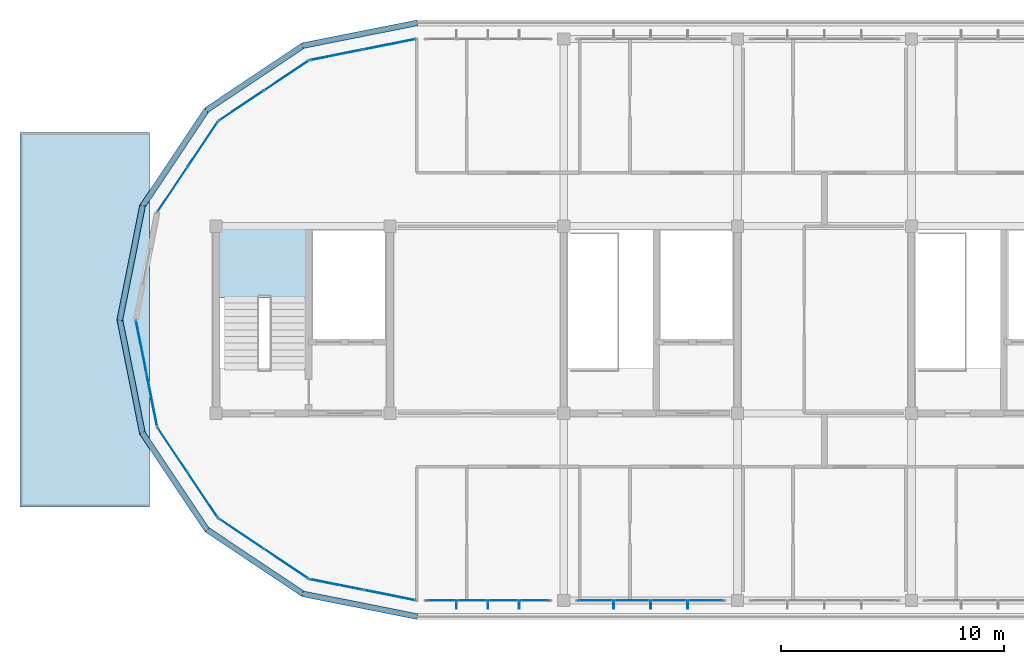
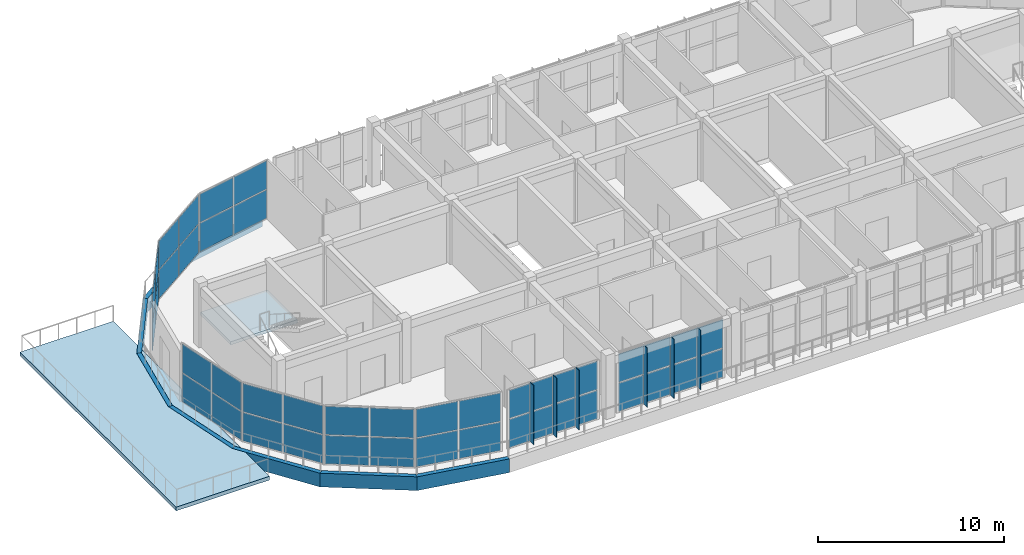
# One storey, part 22 of 33: 58 plates, 2 slabs, 10 elements without a shape of their own.
"""IFC4 building model written with IfcOpenShell, lengths in metres."""

from ifc_helpers import new_model, si_unit, direction, frame, origin, origin_2d, place, context, subcontext, project, spatial, polyline, rectangle, outline, extrude, material, layer, layer_set, type_object, element, aggregate, save


model = new_model("IFC4")

# Units and contexts
model_context = context("Model", 3, precision=1e-05, world=origin(), true_north=direction((0.0, 1.0)))
body_context = subcontext(model_context, "Body", "Model", "MODEL_VIEW")
ifc_project = project(units=[si_unit("LENGTHUNIT", "METRE"), si_unit("AREAUNIT", "SQUARE_METRE"), si_unit("VOLUMEUNIT", "CUBIC_METRE"), si_unit("PLANEANGLEUNIT", "RADIAN"), si_unit("MASSUNIT", "GRAM", prefix="KILO")], contexts=[model_context])

# Site, building, storey
site_placement = place(None, origin())
site = spatial("IfcSite", under=ifc_project, at=site_placement, CompositionType="ELEMENT")
building_placement = place(site_placement, origin())
building = spatial("IfcBuilding", under=site, at=building_placement, Name="Zizhar Promenade General Hospital", CompositionType="ELEMENT")
storey_placement = place(building_placement, frame((0.0, 0.0, 39.0)))
storey = spatial("IfcBuildingStorey", under=building, at=storey_placement, Name="L09", CompositionType="ELEMENT", Elevation=39.0)

# Curtain wall, plates
ifc_material_1 = material(Name="Anodised aluminium 6063-T6 and low-E glass", Category="aluminium")
ifc_layer_1 = layer(ifc_material_1, 0.159912109375)
ifc_layer_set_1 = layer_set([ifc_layer_1], Name="Anodised aluminium 6063-T6 and low-E glass")
curtain_wall_type_1 = type_object("IfcCurtainWallType", Name="CW-WARD-ARC", PredefinedType="NOTDEFINED", material=ifc_layer_set_1)
curtain_wall_1_placement = place(storey_placement, origin())
curtain_wall_1 = element("IfcCurtainWall", 1, at=curtain_wall_1_placement, inside=storey, type_object=curtain_wall_type_1, Name="Ward Semicircular End Glazing L09-10", PredefinedType="NOTDEFINED")
ifc_material_2 = material(Name="Low-E solar-control glass", Category="glass")
ifc_layer_2 = layer(ifc_material_2, 0.031982421875)
ifc_layer_set_2 = layer_set([ifc_layer_2], Name="Low-E solar-control glass")
plate_type_1 = type_object("IfcPlateType", Name="CWP-GLZ-32", PredefinedType="CURTAIN_PANEL", material=ifc_layer_set_2)
plate_1_placement = place(storey_placement, frame((52.1982421875, 24.483642578125, 0.06005859375), z_axis=(0.0, 0.0, 1.0), x_axis=(0.980785889615, 0.195087259275, 0.0)))
plate_1 = element("IfcPlate", 2, at=plate_1_placement, type_object=plate_type_1, Name="CW-12 panel 1.1", PredefinedType="CURTAIN_PANEL", context=body_context, shape_type="SweptSolid", body=[
    extrude(rectangle(XDim=2.3681640625, YDim=0.031982421875, at=origin_2d()), origin(), (0.0, 0.0, 1.0), 1.860107421875),
])
plate_2_placement = place(storey_placement, frame((52.1982421875, 24.483642578125, 1.97998046875), z_axis=(0.0, 0.0, 1.0), x_axis=(0.980785889615, 0.195087259275, 0.0)))
plate_2 = element("IfcPlate", 3, at=plate_2_placement, type_object=plate_type_1, Name="CW-12 panel 1.2", PredefinedType="CURTAIN_PANEL", context=body_context, shape_type="SweptSolid", body=[
    extrude(rectangle(XDim=2.3681640625, YDim=0.031982421875, at=origin_2d()), origin(), (0.0, 0.0, 1.0), 1.860107421875),
])
plate_3_placement = place(storey_placement, frame((54.579833984375, 24.957275390625, 0.06005859375), z_axis=(0.0, 0.0, 1.0), x_axis=(0.980785889615, 0.195087259275, 0.0)))
plate_3 = element("IfcPlate", 4, at=plate_3_placement, type_object=plate_type_1, Name="CW-12 panel 2.1", PredefinedType="CURTAIN_PANEL", context=body_context, shape_type="SweptSolid", body=[
    extrude(rectangle(XDim=2.3681640625, YDim=0.031982421875, at=origin_2d()), origin(), (0.0, 0.0, 1.0), 1.860107421875),
])
plate_4_placement = place(storey_placement, frame((54.579833984375, 24.957275390625, 1.97998046875), z_axis=(0.0, 0.0, 1.0), x_axis=(0.980785889615, 0.195087259275, 0.0)))
plate_4 = element("IfcPlate", 5, at=plate_4_placement, type_object=plate_type_1, Name="CW-12 panel 2.2", PredefinedType="CURTAIN_PANEL", context=body_context, shape_type="SweptSolid", body=[
    extrude(rectangle(XDim=2.3681640625, YDim=0.031982421875, at=origin_2d()), origin(), (0.0, 0.0, 1.0), 1.860107421875),
])
aggregate(curtain_wall_1, [plate_1, plate_2, plate_3, plate_4])

curtain_wall_2_placement = place(storey_placement, origin())
curtain_wall_2 = element("IfcCurtainWall", 6, at=curtain_wall_2_placement, inside=storey, type_object=curtain_wall_type_1, Name="Ward Semicircular End Glazing L09-11", PredefinedType="NOTDEFINED")
plate_5_placement = place(storey_placement, frame((47.9248046875, 22.20068359375, 0.06005859375), z_axis=(0.0, 0.0, 1.0), x_axis=(0.831461514468, 0.555582352095, 0.0)))
plate_5 = element("IfcPlate", 7, at=plate_5_placement, type_object=plate_type_1, Name="CW-12 panel 1.1", PredefinedType="CURTAIN_PANEL", context=body_context, shape_type="SweptSolid", body=[
    extrude(rectangle(XDim=2.3681640625, YDim=0.031982421875, at=origin_2d()), origin(), (0.0, 0.0, 1.0), 1.860107421875),
])
plate_6_placement = place(storey_placement, frame((47.9248046875, 22.20068359375, 1.97998046875), z_axis=(0.0, 0.0, 1.0), x_axis=(0.831461514468, 0.555582352095, 0.0)))
plate_6 = element("IfcPlate", 8, at=plate_6_placement, type_object=plate_type_1, Name="CW-12 panel 1.2", PredefinedType="CURTAIN_PANEL", context=body_context, shape_type="SweptSolid", body=[
    extrude(rectangle(XDim=2.3681640625, YDim=0.031982421875, at=origin_2d()), origin(), (0.0, 0.0, 1.0), 1.860107421875),
])
plate_7_placement = place(storey_placement, frame((49.94384765625, 23.5498046875, 0.06005859375), z_axis=(0.0, 0.0, 1.0), x_axis=(0.831461514468, 0.555582352095, 0.0)))
plate_7 = element("IfcPlate", 9, at=plate_7_placement, type_object=plate_type_1, Name="CW-12 panel 2.1", PredefinedType="CURTAIN_PANEL", context=body_context, shape_type="SweptSolid", body=[
    extrude(rectangle(XDim=2.3681640625, YDim=0.031982421875, at=origin_2d()), origin(), (0.0, 0.0, 1.0), 1.860107421875),
])
plate_8_placement = place(storey_placement, frame((49.94384765625, 23.5498046875, 1.97998046875), z_axis=(0.0, 0.0, 1.0), x_axis=(0.831461514468, 0.555582352095, 0.0)))
plate_8 = element("IfcPlate", 10, at=plate_8_placement, type_object=plate_type_1, Name="CW-12 panel 2.2", PredefinedType="CURTAIN_PANEL", context=body_context, shape_type="SweptSolid", body=[
    extrude(rectangle(XDim=2.3681640625, YDim=0.031982421875, at=origin_2d()), origin(), (0.0, 0.0, 1.0), 1.860107421875),
])
aggregate(curtain_wall_2, [plate_5, plate_6, plate_7, plate_8])

curtain_wall_3_placement = place(storey_placement, origin())
curtain_wall_3 = element("IfcCurtainWall", 11, at=curtain_wall_3_placement, inside=storey, type_object=curtain_wall_type_1, Name="Ward Semicircular End Glazing L09-12", PredefinedType="NOTDEFINED")
plate_9_placement = place(storey_placement, frame((44.850341796875, 18.456298828125, 0.06005859375), z_axis=(0.0, 0.0, 1.0), x_axis=(0.555582352095, 0.831461514468, 0.0)))
plate_9 = element("IfcPlate", 12, at=plate_9_placement, type_object=plate_type_1, Name="CW-12 panel 1.1", PredefinedType="CURTAIN_PANEL", context=body_context, shape_type="SweptSolid", body=[
    extrude(rectangle(XDim=2.3681640625, YDim=0.031982421875, at=origin_2d()), origin(), (0.0, 0.0, 1.0), 1.860107421875),
])
plate_10_placement = place(storey_placement, frame((44.850341796875, 18.456298828125, 1.97998046875), z_axis=(0.0, 0.0, 1.0), x_axis=(0.555582352095, 0.831461514468, 0.0)))
plate_10 = element("IfcPlate", 13, at=plate_10_placement, type_object=plate_type_1, Name="CW-12 panel 1.2", PredefinedType="CURTAIN_PANEL", context=body_context, shape_type="SweptSolid", body=[
    extrude(rectangle(XDim=2.3681640625, YDim=0.031982421875, at=origin_2d()), origin(), (0.0, 0.0, 1.0), 1.860107421875),
])
plate_11_placement = place(storey_placement, frame((46.19921875, 20.47509765625, 0.06005859375), z_axis=(0.0, 0.0, 1.0), x_axis=(0.555582352095, 0.831461514468, 0.0)))
plate_11 = element("IfcPlate", 14, at=plate_11_placement, type_object=plate_type_1, Name="CW-12 panel 2.1", PredefinedType="CURTAIN_PANEL", context=body_context, shape_type="SweptSolid", body=[
    extrude(rectangle(XDim=2.3681640625, YDim=0.031982421875, at=origin_2d()), origin(), (0.0, 0.0, 1.0), 1.860107421875),
])
plate_12_placement = place(storey_placement, frame((46.19921875, 20.47509765625, 1.97998046875), z_axis=(0.0, 0.0, 1.0), x_axis=(0.555582352095, 0.831461514468, 0.0)))
plate_12 = element("IfcPlate", 15, at=plate_12_placement, type_object=plate_type_1, Name="CW-12 panel 2.2", PredefinedType="CURTAIN_PANEL", context=body_context, shape_type="SweptSolid", body=[
    extrude(rectangle(XDim=2.3681640625, YDim=0.031982421875, at=origin_2d()), origin(), (0.0, 0.0, 1.0), 1.860107421875),
])
aggregate(curtain_wall_3, [plate_9, plate_10, plate_11, plate_12])

curtain_wall_4_placement = place(storey_placement, origin())
curtain_wall_4 = element("IfcCurtainWall", 16, at=curtain_wall_4_placement, inside=storey, type_object=curtain_wall_type_1, Name="Ward Semicircular End Glazing L09-14", PredefinedType="NOTDEFINED")
plate_13_placement = place(storey_placement, frame((43.91650390625, 8.998291015625, 0.06005859375), z_axis=(0.0, 0.0, 1.0), x_axis=(-0.195087259275, 0.980785889615, 0.0)))
plate_13 = element("IfcPlate", 17, at=plate_13_placement, type_object=plate_type_1, Name="CW-12 panel 1.1", PredefinedType="CURTAIN_PANEL", context=body_context, shape_type="SweptSolid", body=[
    extrude(rectangle(XDim=2.3681640625, YDim=0.031982421875, at=origin_2d()), origin(), (0.0, 0.0, 1.0), 1.860107421875),
])
plate_14_placement = place(storey_placement, frame((43.91650390625, 8.998291015625, 1.97998046875), z_axis=(0.0, 0.0, 1.0), x_axis=(-0.195087259275, 0.980785889615, 0.0)))
plate_14 = element("IfcPlate", 18, at=plate_14_placement, type_object=plate_type_1, Name="CW-12 panel 1.2", PredefinedType="CURTAIN_PANEL", context=body_context, shape_type="SweptSolid", body=[
    extrude(rectangle(XDim=2.3681640625, YDim=0.031982421875, at=origin_2d()), origin(), (0.0, 0.0, 1.0), 1.860107421875),
])
plate_15_placement = place(storey_placement, frame((43.442626953125, 11.3798828125, 0.06005859375), z_axis=(0.0, 0.0, 1.0), x_axis=(-0.195087259275, 0.980785889615, 0.0)))
plate_15 = element("IfcPlate", 19, at=plate_15_placement, type_object=plate_type_1, Name="CW-12 panel 2.1", PredefinedType="CURTAIN_PANEL", context=body_context, shape_type="SweptSolid", body=[
    extrude(rectangle(XDim=2.3681640625, YDim=0.031982421875, at=origin_2d()), origin(), (0.0, 0.0, 1.0), 1.860107421875),
])
plate_16_placement = place(storey_placement, frame((43.442626953125, 11.3798828125, 1.97998046875), z_axis=(0.0, 0.0, 1.0), x_axis=(-0.195087259275, 0.980785889615, 0.0)))
plate_16 = element("IfcPlate", 20, at=plate_16_placement, type_object=plate_type_1, Name="CW-12 panel 2.2", PredefinedType="CURTAIN_PANEL", context=body_context, shape_type="SweptSolid", body=[
    extrude(rectangle(XDim=2.3681640625, YDim=0.031982421875, at=origin_2d()), origin(), (0.0, 0.0, 1.0), 1.860107421875),
])
aggregate(curtain_wall_4, [plate_13, plate_14, plate_15, plate_16])

curtain_wall_5_placement = place(storey_placement, origin())
curtain_wall_5 = element("IfcCurtainWall", 21, at=curtain_wall_5_placement, inside=storey, type_object=curtain_wall_type_1, Name="Ward Semicircular End Glazing L09-15", PredefinedType="NOTDEFINED")
plate_17_placement = place(storey_placement, frame((46.19921875, 4.724853515625, 0.06005859375), z_axis=(0.0, 0.0, 1.0), x_axis=(-0.555582352095, 0.831461514468, 0.0)))
plate_17 = element("IfcPlate", 22, at=plate_17_placement, type_object=plate_type_1, Name="CW-12 panel 1.1", PredefinedType="CURTAIN_PANEL", context=body_context, shape_type="SweptSolid", body=[
    extrude(rectangle(XDim=2.3681640625, YDim=0.031982421875, at=origin_2d()), origin(), (0.0, 0.0, 1.0), 1.860107421875),
])
plate_18_placement = place(storey_placement, frame((46.19921875, 4.724853515625, 1.97998046875), z_axis=(0.0, 0.0, 1.0), x_axis=(-0.555582352095, 0.831461514468, 0.0)))
plate_18 = element("IfcPlate", 23, at=plate_18_placement, type_object=plate_type_1, Name="CW-12 panel 1.2", PredefinedType="CURTAIN_PANEL", context=body_context, shape_type="SweptSolid", body=[
    extrude(rectangle(XDim=2.3681640625, YDim=0.031982421875, at=origin_2d()), origin(), (0.0, 0.0, 1.0), 1.860107421875),
])
plate_19_placement = place(storey_placement, frame((44.850341796875, 6.743896484375, 0.06005859375), z_axis=(0.0, 0.0, 1.0), x_axis=(-0.555582352095, 0.831461514468, 0.0)))
plate_19 = element("IfcPlate", 24, at=plate_19_placement, type_object=plate_type_1, Name="CW-12 panel 2.1", PredefinedType="CURTAIN_PANEL", context=body_context, shape_type="SweptSolid", body=[
    extrude(rectangle(XDim=2.3681640625, YDim=0.031982421875, at=origin_2d()), origin(), (0.0, 0.0, 1.0), 1.860107421875),
])
plate_20_placement = place(storey_placement, frame((44.850341796875, 6.743896484375, 1.97998046875), z_axis=(0.0, 0.0, 1.0), x_axis=(-0.555582352095, 0.831461514468, 0.0)))
plate_20 = element("IfcPlate", 25, at=plate_20_placement, type_object=plate_type_1, Name="CW-12 panel 2.2", PredefinedType="CURTAIN_PANEL", context=body_context, shape_type="SweptSolid", body=[
    extrude(rectangle(XDim=2.3681640625, YDim=0.031982421875, at=origin_2d()), origin(), (0.0, 0.0, 1.0), 1.860107421875),
])
aggregate(curtain_wall_5, [plate_17, plate_18, plate_19, plate_20])

curtain_wall_6_placement = place(storey_placement, origin())
curtain_wall_6 = element("IfcCurtainWall", 26, at=curtain_wall_6_placement, inside=storey, type_object=curtain_wall_type_1, Name="Ward Semicircular End Glazing L09-16", PredefinedType="NOTDEFINED")
plate_21_placement = place(storey_placement, frame((49.94384765625, 1.650390625, 0.06005859375), z_axis=(0.0, 0.0, 1.0), x_axis=(-0.831461514468, 0.555582352095, 0.0)))
plate_21 = element("IfcPlate", 27, at=plate_21_placement, type_object=plate_type_1, Name="CW-12 panel 1.1", PredefinedType="CURTAIN_PANEL", context=body_context, shape_type="SweptSolid", body=[
    extrude(rectangle(XDim=2.3681640625, YDim=0.031982421875, at=origin_2d()), origin(), (0.0, 0.0, 1.0), 1.860107421875),
])
plate_22_placement = place(storey_placement, frame((49.94384765625, 1.650390625, 1.97998046875), z_axis=(0.0, 0.0, 1.0), x_axis=(-0.831461514468, 0.555582352095, 0.0)))
plate_22 = element("IfcPlate", 28, at=plate_22_placement, type_object=plate_type_1, Name="CW-12 panel 1.2", PredefinedType="CURTAIN_PANEL", context=body_context, shape_type="SweptSolid", body=[
    extrude(rectangle(XDim=2.3681640625, YDim=0.031982421875, at=origin_2d()), origin(), (0.0, 0.0, 1.0), 1.860107421875),
])
plate_23_placement = place(storey_placement, frame((47.9248046875, 2.999267578125, 0.06005859375), z_axis=(0.0, 0.0, 1.0), x_axis=(-0.831461514468, 0.555582352095, 0.0)))
plate_23 = element("IfcPlate", 29, at=plate_23_placement, type_object=plate_type_1, Name="CW-12 panel 2.1", PredefinedType="CURTAIN_PANEL", context=body_context, shape_type="SweptSolid", body=[
    extrude(rectangle(XDim=2.3681640625, YDim=0.031982421875, at=origin_2d()), origin(), (0.0, 0.0, 1.0), 1.860107421875),
])
plate_24_placement = place(storey_placement, frame((47.9248046875, 2.999267578125, 1.97998046875), z_axis=(0.0, 0.0, 1.0), x_axis=(-0.831461514468, 0.555582352095, 0.0)))
plate_24 = element("IfcPlate", 30, at=plate_24_placement, type_object=plate_type_1, Name="CW-12 panel 2.2", PredefinedType="CURTAIN_PANEL", context=body_context, shape_type="SweptSolid", body=[
    extrude(rectangle(XDim=2.3681640625, YDim=0.031982421875, at=origin_2d()), origin(), (0.0, 0.0, 1.0), 1.860107421875),
])
aggregate(curtain_wall_6, [plate_21, plate_22, plate_23, plate_24])

curtain_wall_7_placement = place(storey_placement, origin())
curtain_wall_7 = element("IfcCurtainWall", 31, at=curtain_wall_7_placement, inside=storey, type_object=curtain_wall_type_1, Name="Ward Semicircular End Glazing L09-17", PredefinedType="NOTDEFINED")
plate_25_placement = place(storey_placement, frame((54.579833984375, 0.24267578125, 0.06005859375), z_axis=(0.0, 0.0, 1.0), x_axis=(-0.980785889615, 0.195087259275, 0.0)))
plate_25 = element("IfcPlate", 32, at=plate_25_placement, type_object=plate_type_1, Name="CW-12 panel 1.1", PredefinedType="CURTAIN_PANEL", context=body_context, shape_type="SweptSolid", body=[
    extrude(rectangle(XDim=2.3681640625, YDim=0.031982421875, at=origin_2d()), origin(), (0.0, 0.0, 1.0), 1.860107421875),
])
plate_26_placement = place(storey_placement, frame((54.579833984375, 0.24267578125, 1.97998046875), z_axis=(0.0, 0.0, 1.0), x_axis=(-0.980785889615, 0.195087259275, 0.0)))
plate_26 = element("IfcPlate", 33, at=plate_26_placement, type_object=plate_type_1, Name="CW-12 panel 1.2", PredefinedType="CURTAIN_PANEL", context=body_context, shape_type="SweptSolid", body=[
    extrude(rectangle(XDim=2.3681640625, YDim=0.031982421875, at=origin_2d()), origin(), (0.0, 0.0, 1.0), 1.860107421875),
])
plate_27_placement = place(storey_placement, frame((52.1982421875, 0.71630859375, 0.06005859375), z_axis=(0.0, 0.0, 1.0), x_axis=(-0.980785889615, 0.195087259275, 0.0)))
plate_27 = element("IfcPlate", 34, at=plate_27_placement, type_object=plate_type_1, Name="CW-12 panel 2.1", PredefinedType="CURTAIN_PANEL", context=body_context, shape_type="SweptSolid", body=[
    extrude(rectangle(XDim=2.3681640625, YDim=0.031982421875, at=origin_2d()), origin(), (0.0, 0.0, 1.0), 1.860107421875),
])
plate_28_placement = place(storey_placement, frame((52.1982421875, 0.71630859375, 1.97998046875), z_axis=(0.0, 0.0, 1.0), x_axis=(-0.980785889615, 0.195087259275, 0.0)))
plate_28 = element("IfcPlate", 35, at=plate_28_placement, type_object=plate_type_1, Name="CW-12 panel 2.2", PredefinedType="CURTAIN_PANEL", context=body_context, shape_type="SweptSolid", body=[
    extrude(rectangle(XDim=2.3681640625, YDim=0.031982421875, at=origin_2d()), origin(), (0.0, 0.0, 1.0), 1.860107421875),
])
aggregate(curtain_wall_7, [plate_25, plate_26, plate_27, plate_28])

ifc_material_3 = material(Name="Anodised aluminium 6063-T6 and low-E glass", Category="aluminium")
ifc_layer_3 = layer(ifc_material_3, 0.159912109375)
ifc_layer_set_3 = layer_set([ifc_layer_3], Name="Anodised aluminium 6063-T6 and low-E glass")
curtain_wall_type_2 = type_object("IfcCurtainWallType", Name="CW-WARD-RIB", PredefinedType="NOTDEFINED", material=ifc_layer_set_3)
curtain_wall_8_placement = place(storey_placement, origin())
curtain_wall_8 = element("IfcCurtainWall", 36, at=curtain_wall_8_placement, inside=storey, type_object=curtain_wall_type_2, Name="Ward Ribbon Curtain Wall L09-17-3", PredefinedType="NOTDEFINED")
plate_29_placement = place(storey_placement, frame((68.77001953125, 0.0, 0.06005859375), z_axis=(0.0, 0.0, 1.0), x_axis=(-1.0, 0.0, 0.0)))
plate_29 = element("IfcPlate", 37, at=plate_29_placement, type_object=plate_type_1, Name="CW-13 panel 1.1", PredefinedType="CURTAIN_PANEL", context=body_context, shape_type="SweptSolid", body=[
    extrude(rectangle(XDim=1.5400390625, YDim=0.031982421875, at=origin_2d()), origin(), (0.0, 0.0, 1.0), 1.860107421875),
])
plate_30_placement = place(storey_placement, frame((68.77001953125, 0.0, 1.97998046875), z_axis=(0.0, 0.0, 1.0), x_axis=(-1.0, 0.0, 0.0)))
plate_30 = element("IfcPlate", 38, at=plate_30_placement, type_object=plate_type_1, Name="CW-13 panel 1.2", PredefinedType="CURTAIN_PANEL", context=body_context, shape_type="SweptSolid", body=[
    extrude(rectangle(XDim=1.5400390625, YDim=0.031982421875, at=origin_2d()), origin(), (0.0, 0.0, 1.0), 1.860107421875),
])
plate_31_placement = place(storey_placement, frame((67.1298828125, 0.0, 0.06005859375), z_axis=(0.0, 0.0, 1.0), x_axis=(-1.0, 0.0, 0.0)))
plate_31 = element("IfcPlate", 39, at=plate_31_placement, type_object=plate_type_1, Name="CW-13 panel 2.1", PredefinedType="CURTAIN_PANEL", context=body_context, shape_type="SweptSolid", body=[
    extrude(rectangle(XDim=1.580078125, YDim=0.031982421875, at=origin_2d()), origin(), (0.0, 0.0, 1.0), 1.860107421875),
])
plate_32_placement = place(storey_placement, frame((67.1298828125, 0.0, 1.97998046875), z_axis=(0.0, 0.0, 1.0), x_axis=(-1.0, 0.0, 0.0)))
plate_32 = element("IfcPlate", 40, at=plate_32_placement, type_object=plate_type_1, Name="CW-13 panel 2.2", PredefinedType="CURTAIN_PANEL", context=body_context, shape_type="SweptSolid", body=[
    extrude(rectangle(XDim=1.580078125, YDim=0.031982421875, at=origin_2d()), origin(), (0.0, 0.0, 1.0), 1.860107421875),
])
plate_33_placement = place(storey_placement, frame((65.469970703125, 0.0, 0.06005859375), z_axis=(0.0, 0.0, 1.0), x_axis=(-1.0, 0.0, 0.0)))
plate_33 = element("IfcPlate", 41, at=plate_33_placement, type_object=plate_type_1, Name="CW-13 panel 3.1", PredefinedType="CURTAIN_PANEL", context=body_context, shape_type="SweptSolid", body=[
    extrude(rectangle(XDim=1.580078125, YDim=0.031982421875, at=origin_2d()), origin(), (0.0, 0.0, 1.0), 1.860107421875),
])
plate_34_placement = place(storey_placement, frame((65.469970703125, 0.0, 1.97998046875), z_axis=(0.0, 0.0, 1.0), x_axis=(-1.0, 0.0, 0.0)))
plate_34 = element("IfcPlate", 42, at=plate_34_placement, type_object=plate_type_1, Name="CW-13 panel 3.2", PredefinedType="CURTAIN_PANEL", context=body_context, shape_type="SweptSolid", body=[
    extrude(rectangle(XDim=1.580078125, YDim=0.031982421875, at=origin_2d()), origin(), (0.0, 0.0, 1.0), 1.860107421875),
])
plate_35_placement = place(storey_placement, frame((63.830078125, 0.0, 0.06005859375), z_axis=(0.0, 0.0, 1.0), x_axis=(-1.0, 0.0, 0.0)))
plate_35 = element("IfcPlate", 43, at=plate_35_placement, type_object=plate_type_1, Name="CW-13 panel 4.1", PredefinedType="CURTAIN_PANEL", context=body_context, shape_type="SweptSolid", body=[
    extrude(rectangle(XDim=1.5400390625, YDim=0.031982421875, at=origin_2d()), origin(), (0.0, 0.0, 1.0), 1.860107421875),
])
plate_36_placement = place(storey_placement, frame((63.830078125, 0.0, 1.97998046875), z_axis=(0.0, 0.0, 1.0), x_axis=(-1.0, 0.0, 0.0)))
plate_36 = element("IfcPlate", 44, at=plate_36_placement, type_object=plate_type_1, Name="CW-13 panel 4.2", PredefinedType="CURTAIN_PANEL", context=body_context, shape_type="SweptSolid", body=[
    extrude(rectangle(XDim=1.5400390625, YDim=0.031982421875, at=origin_2d()), origin(), (0.0, 0.0, 1.0), 1.860107421875),
])
aggregate(curtain_wall_8, [plate_29, plate_30, plate_31, plate_32, plate_33, plate_34, plate_35, plate_36])

curtain_wall_9_placement = place(storey_placement, origin())
curtain_wall_9 = element("IfcCurtainWall", 45, at=curtain_wall_9_placement, inside=storey, type_object=curtain_wall_type_2, Name="Ward Ribbon Curtain Wall L09-17-4", PredefinedType="NOTDEFINED")
plate_37_placement = place(storey_placement, frame((61.094970703125, 0.0, 0.06005859375), z_axis=(0.0, 0.0, 1.0), x_axis=(-1.0, 0.0, 0.0)))
plate_37 = element("IfcPlate", 46, at=plate_37_placement, type_object=plate_type_1, Name="CW-13 panel 1.1", PredefinedType="CURTAIN_PANEL", context=body_context, shape_type="SweptSolid", body=[
    extrude(rectangle(XDim=1.2900390625, YDim=0.031982421875, at=origin_2d()), origin(), (0.0, 0.0, 1.0), 1.860107421875),
])
plate_38_placement = place(storey_placement, frame((61.094970703125, 0.0, 1.97998046875), z_axis=(0.0, 0.0, 1.0), x_axis=(-1.0, 0.0, 0.0)))
plate_38 = element("IfcPlate", 47, at=plate_38_placement, type_object=plate_type_1, Name="CW-13 panel 1.2", PredefinedType="CURTAIN_PANEL", context=body_context, shape_type="SweptSolid", body=[
    extrude(rectangle(XDim=1.2900390625, YDim=0.031982421875, at=origin_2d()), origin(), (0.0, 0.0, 1.0), 1.860107421875),
])
plate_39_placement = place(storey_placement, frame((59.705078125, 0.0, 0.06005859375), z_axis=(0.0, 0.0, 1.0), x_axis=(-1.0, 0.0, 0.0)))
plate_39 = element("IfcPlate", 48, at=plate_39_placement, type_object=plate_type_1, Name="CW-13 panel 2.1", PredefinedType="CURTAIN_PANEL", context=body_context, shape_type="SweptSolid", body=[
    extrude(rectangle(XDim=1.330078125, YDim=0.031982421875, at=origin_2d()), origin(), (0.0, 0.0, 1.0), 1.860107421875),
])
plate_40_placement = place(storey_placement, frame((59.705078125, 0.0, 1.97998046875), z_axis=(0.0, 0.0, 1.0), x_axis=(-1.0, 0.0, 0.0)))
plate_40 = element("IfcPlate", 49, at=plate_40_placement, type_object=plate_type_1, Name="CW-13 panel 2.2", PredefinedType="CURTAIN_PANEL", context=body_context, shape_type="SweptSolid", body=[
    extrude(rectangle(XDim=1.330078125, YDim=0.031982421875, at=origin_2d()), origin(), (0.0, 0.0, 1.0), 1.860107421875),
])
plate_41_placement = place(storey_placement, frame((58.294921875, 0.0, 0.06005859375), z_axis=(0.0, 0.0, 1.0), x_axis=(-1.0, 0.0, 0.0)))
plate_41 = element("IfcPlate", 50, at=plate_41_placement, type_object=plate_type_1, Name="CW-13 panel 3.1", PredefinedType="CURTAIN_PANEL", context=body_context, shape_type="SweptSolid", body=[
    extrude(rectangle(XDim=1.330078125, YDim=0.031982421875, at=origin_2d()), origin(), (0.0, 0.0, 1.0), 1.860107421875),
])
plate_42_placement = place(storey_placement, frame((58.294921875, 0.0, 1.97998046875), z_axis=(0.0, 0.0, 1.0), x_axis=(-1.0, 0.0, 0.0)))
plate_42 = element("IfcPlate", 51, at=plate_42_placement, type_object=plate_type_1, Name="CW-13 panel 3.2", PredefinedType="CURTAIN_PANEL", context=body_context, shape_type="SweptSolid", body=[
    extrude(rectangle(XDim=1.330078125, YDim=0.031982421875, at=origin_2d()), origin(), (0.0, 0.0, 1.0), 1.860107421875),
])
plate_43_placement = place(storey_placement, frame((56.905029296875, 0.0, 0.06005859375), z_axis=(0.0, 0.0, 1.0), x_axis=(-1.0, 0.0, 0.0)))
plate_43 = element("IfcPlate", 52, at=plate_43_placement, type_object=plate_type_1, Name="CW-13 panel 4.1", PredefinedType="CURTAIN_PANEL", context=body_context, shape_type="SweptSolid", body=[
    extrude(rectangle(XDim=1.2900390625, YDim=0.031982421875, at=origin_2d()), origin(), (0.0, 0.0, 1.0), 1.860107421875),
])
plate_44_placement = place(storey_placement, frame((56.905029296875, 0.0, 1.97998046875), z_axis=(0.0, 0.0, 1.0), x_axis=(-1.0, 0.0, 0.0)))
plate_44 = element("IfcPlate", 53, at=plate_44_placement, type_object=plate_type_1, Name="CW-13 panel 4.2", PredefinedType="CURTAIN_PANEL", context=body_context, shape_type="SweptSolid", body=[
    extrude(rectangle(XDim=1.2900390625, YDim=0.031982421875, at=origin_2d()), origin(), (0.0, 0.0, 1.0), 1.860107421875),
])
aggregate(curtain_wall_9, [plate_37, plate_38, plate_39, plate_40, plate_41, plate_42, plate_43, plate_44])

# Plates
ifc_material_4 = material(Name="Anodised aluminium 6063-T6", Category="aluminium")
ifc_layer_4 = layer(ifc_material_4, 0.035888671875)
ifc_layer_set_4 = layer_set([ifc_layer_4], Name="Anodised aluminium 6063-T6")
plate_type_2 = type_object("IfcPlateType", Name="FIN-ALU-380", PredefinedType="USERDEFINED", material=ifc_layer_set_4)
plate_45_placement = place(storey_placement, origin())
element("IfcPlate", 54, at=plate_45_placement, inside=storey, type_object=plate_type_2, Name="Ward Ribbon Curtain Wall L09-17-3 Solar Fin 1", ObjectType="SOLAR_SHADE", PredefinedType="USERDEFINED", context=body_context, shape_type="SweptSolid", body=[
    extrude(outline(polyline([(67.97802734375, 0.0), (67.94189453125, 0.0), (67.94189453125, -0.3798828125), (67.97802734375, -0.3798828125), (67.97802734375, 0.0)])), origin(), (0.0, 0.0, 1.0), 3.89990234375),
])
plate_46_placement = place(storey_placement, origin())
element("IfcPlate", 55, at=plate_46_placement, inside=storey, type_object=plate_type_2, Name="Ward Ribbon Curtain Wall L09-17-3 Solar Fin 2", ObjectType="SOLAR_SHADE", PredefinedType="USERDEFINED", context=body_context, shape_type="SweptSolid", body=[
    extrude(outline(polyline([(66.318115234375, 0.0), (66.281982421875, 0.0), (66.281982421875, -0.3798828125), (66.318115234375, -0.3798828125), (66.318115234375, 0.0)])), origin(), (0.0, 0.0, 1.0), 3.89990234375),
])
plate_47_placement = place(storey_placement, origin())
element("IfcPlate", 56, at=plate_47_placement, inside=storey, type_object=plate_type_2, Name="Ward Ribbon Curtain Wall L09-17-3 Solar Fin 3", ObjectType="SOLAR_SHADE", PredefinedType="USERDEFINED", context=body_context, shape_type="SweptSolid", body=[
    extrude(outline(polyline([(64.657958984375, 0.0), (64.6220703125, 0.0), (64.6220703125, -0.3798828125), (64.657958984375, -0.3798828125), (64.657958984375, 0.0)])), origin(), (0.0, 0.0, 1.0), 3.89990234375),
])
plate_48_placement = place(storey_placement, origin())
element("IfcPlate", 57, at=plate_48_placement, inside=storey, type_object=plate_type_2, Name="Ward Ribbon Curtain Wall L09-17-4 Solar Fin 1", ObjectType="SOLAR_SHADE", PredefinedType="USERDEFINED", context=body_context, shape_type="SweptSolid", body=[
    extrude(outline(polyline([(60.427978515625, 0.0), (60.39208984375, 0.0), (60.39208984375, -0.3798828125), (60.427978515625, -0.3798828125), (60.427978515625, 0.0)])), origin(), (0.0, 0.0, 1.0), 3.89990234375),
])
plate_49_placement = place(storey_placement, origin())
element("IfcPlate", 58, at=plate_49_placement, inside=storey, type_object=plate_type_2, Name="Ward Ribbon Curtain Wall L09-17-4 Solar Fin 2", ObjectType="SOLAR_SHADE", PredefinedType="USERDEFINED", context=body_context, shape_type="SweptSolid", body=[
    extrude(outline(polyline([(59.01806640625, 0.0), (58.98193359375, 0.0), (58.98193359375, -0.3798828125), (59.01806640625, -0.3798828125), (59.01806640625, 0.0)])), origin(), (0.0, 0.0, 1.0), 3.89990234375),
])
plate_50_placement = place(storey_placement, origin())
element("IfcPlate", 59, at=plate_50_placement, inside=storey, type_object=plate_type_2, Name="Ward Ribbon Curtain Wall L09-17-4 Solar Fin 3", ObjectType="SOLAR_SHADE", PredefinedType="USERDEFINED", context=body_context, shape_type="SweptSolid", body=[
    extrude(outline(polyline([(57.60791015625, 0.0), (57.572021484375, 0.0), (57.572021484375, -0.3798828125), (57.60791015625, -0.3798828125), (57.60791015625, 0.0)])), origin(), (0.0, 0.0, 1.0), 3.89990234375),
])
ifc_material_5 = material(Name="Precast concrete C40/50", Category="concrete")
ifc_layer_5 = layer(ifc_material_5, 0.260009765625)
ifc_layer_set_5 = layer_set([ifc_layer_5], Name="Precast concrete C40/50")
plate_type_3 = type_object("IfcPlateType", Name="PL-PC-BAND950", PredefinedType="USERDEFINED", material=ifc_layer_set_5)
plate_51_placement = place(storey_placement, frame((0.0, 0.0, -0.89990234375)))
element("IfcPlate", 60, at=plate_51_placement, inside=storey, type_object=plate_type_3, Name="Ward Precast Slab Band L09-10", ObjectType="FASCIA_BAND", PredefinedType="USERDEFINED", context=body_context, shape_type="SweptSolid", body=[
    extrude(outline(polyline([(55.800048828125, 26.050048828125), (50.65283203125, 25.026123046875), (50.70361328125, 24.771240234375), (55.8505859375, 25.794921875), (55.800048828125, 26.050048828125)])), origin(), (0.0, 0.0, 1.0), 0.89990234375),
])
plate_52_placement = place(storey_placement, frame((0.0, 0.0, -0.89990234375)))
element("IfcPlate", 61, at=plate_52_placement, inside=storey, type_object=plate_type_3, Name="Ward Precast Slab Band L09-11", ObjectType="FASCIA_BAND", PredefinedType="USERDEFINED", context=body_context, shape_type="SweptSolid", body=[
    extrude(outline(polyline([(50.65283203125, 25.026123046875), (46.289306640625, 22.110595703125), (46.433837890625, 21.894287109375), (50.79736328125, 24.81005859375), (50.65283203125, 25.026123046875)])), origin(), (0.0, 0.0, 1.0), 0.89990234375),
])
plate_53_placement = place(storey_placement, frame((0.0, 0.0, -0.89990234375)))
element("IfcPlate", 62, at=plate_53_placement, inside=storey, type_object=plate_type_3, Name="Ward Precast Slab Band L09-12", ObjectType="FASCIA_BAND", PredefinedType="USERDEFINED", context=body_context, shape_type="SweptSolid", body=[
    extrude(outline(polyline([(46.289306640625, 22.110595703125), (43.373779296875, 17.7470703125), (43.590087890625, 17.602783203125), (46.505615234375, 21.96630859375), (46.289306640625, 22.110595703125)])), origin(), (0.0, 0.0, 1.0), 0.89990234375),
])
plate_54_placement = place(storey_placement, frame((0.0, 0.0, -0.89990234375)))
element("IfcPlate", 63, at=plate_54_placement, inside=storey, type_object=plate_type_3, Name="Ward Precast Slab Band L09-13", ObjectType="FASCIA_BAND", PredefinedType="USERDEFINED", context=body_context, shape_type="SweptSolid", body=[
    extrude(outline(polyline([(43.373779296875, 17.7470703125), (42.35009765625, 12.60009765625), (42.60498046875, 12.54931640625), (43.62890625, 17.6962890625), (43.373779296875, 17.7470703125)])), origin(), (0.0, 0.0, 1.0), 0.89990234375),
])
plate_55_placement = place(storey_placement, frame((0.0, 0.0, -0.89990234375)))
element("IfcPlate", 64, at=plate_55_placement, inside=storey, type_object=plate_type_3, Name="Ward Precast Slab Band L09-14", ObjectType="FASCIA_BAND", PredefinedType="USERDEFINED", context=body_context, shape_type="SweptSolid", body=[
    extrude(outline(polyline([(42.35009765625, 12.60009765625), (43.373779296875, 7.452880859375), (43.62890625, 7.503662109375), (42.60498046875, 12.650634765625), (42.35009765625, 12.60009765625)])), origin(), (0.0, 0.0, 1.0), 0.89990234375),
])
plate_56_placement = place(storey_placement, frame((0.0, 0.0, -0.89990234375)))
element("IfcPlate", 65, at=plate_56_placement, inside=storey, type_object=plate_type_3, Name="Ward Precast Slab Band L09-15", ObjectType="FASCIA_BAND", PredefinedType="USERDEFINED", context=body_context, shape_type="SweptSolid", body=[
    extrude(outline(polyline([(43.373779296875, 7.452880859375), (46.289306640625, 3.08935546875), (46.505615234375, 3.23388671875), (43.590087890625, 7.597412109375), (43.373779296875, 7.452880859375)])), origin(), (0.0, 0.0, 1.0), 0.89990234375),
])
plate_57_placement = place(storey_placement, frame((0.0, 0.0, -0.89990234375)))
element("IfcPlate", 66, at=plate_57_placement, inside=storey, type_object=plate_type_3, Name="Ward Precast Slab Band L09-16", ObjectType="FASCIA_BAND", PredefinedType="USERDEFINED", context=body_context, shape_type="SweptSolid", body=[
    extrude(outline(polyline([(46.289306640625, 3.08935546875), (50.65283203125, 0.173828125), (50.79736328125, 0.389892578125), (46.433837890625, 3.3056640625), (46.289306640625, 3.08935546875)])), origin(), (0.0, 0.0, 1.0), 0.89990234375),
])
plate_58_placement = place(storey_placement, frame((0.0, 0.0, -0.89990234375)))
element("IfcPlate", 67, at=plate_58_placement, inside=storey, type_object=plate_type_3, Name="Ward Precast Slab Band L09-17", ObjectType="FASCIA_BAND", PredefinedType="USERDEFINED", context=body_context, shape_type="SweptSolid", body=[
    extrude(outline(polyline([(50.65283203125, 0.173828125), (55.800048828125, -0.85009765625), (55.8505859375, -0.594970703125), (50.70361328125, 0.4287109375), (50.65283203125, 0.173828125)])), origin(), (0.0, 0.0, 1.0), 0.89990234375),
])

# Stair, slab
ifc_material_6 = material(Name="Concrete C35/45", Category="concrete")
stair_type = type_object("IfcStairType", Name="STR-DOG-420", PredefinedType="HALF_TURN_STAIR", material=ifc_material_6)
stair_placement = place(storey_placement, origin())
stair = element("IfcStair", 68, at=stair_placement, inside=storey, type_object=stair_type, Name="Exit Stair ST-02 (L09 to Roof)", PredefinedType="HALF_TURN_STAIR")
ifc_material_7 = material(Name="Concrete C35/45", Category="concrete")
ifc_layer_6 = layer(ifc_material_7, 0.2099609375)
ifc_layer_set_6 = layer_set([ifc_layer_6], Name="Concrete C35/45")
slab_type_1 = type_object("IfcSlabType", Name="SLB-LAND-420", PredefinedType="LANDING", material=ifc_layer_set_6)
slab_1_placement = place(storey_placement, frame((0.0, 0.0, 1.889892578125)))
slab_1 = element("IfcSlab", 69, at=slab_1_placement, type_object=slab_type_1, Name="ST-02C landing 1", PredefinedType="LANDING", context=body_context, shape_type="SweptSolid", body=[
    extrude(outline(polyline([(46.800048828125, 13.570068359375), (50.949951171875, 13.570068359375), (50.949951171875, 16.800048828125), (46.800048828125, 16.800048828125), (46.800048828125, 13.570068359375)])), origin(), (0.0, 0.0, 1.0), 0.210205078125),
])
aggregate(stair, [slab_1])

# Slab
ifc_material_8 = material(Name="Concrete C35/45", Category="concrete")
ifc_layer_7 = layer(ifc_material_8, 0.25)
ifc_layer_set_7 = layer_set([ifc_layer_7], Name="Concrete C35/45")
slab_type_2 = type_object("IfcSlabType", Name="SLB-TERR-250", PredefinedType="ROOF", material=ifc_layer_set_7)
slab_2_placement = place(storey_placement, frame((0.0, 0.0, -0.25)))
element("IfcSlab", 70, at=slab_2_placement, inside=storey, type_object=slab_type_2, Name="Level L09 West Recovery Terrace Slab", PredefinedType="ROOF", context=body_context, shape_type="SweptSolid", body=[
    extrude(outline(polyline([(38.0, 4.199951171875), (43.800048828125, 4.199951171875), (43.800048828125, 21.0), (38.0, 21.0), (38.0, 4.199951171875)])), origin(), (0.0, 0.0, 1.0), 0.25),
])

save(model, "model.ifc")
